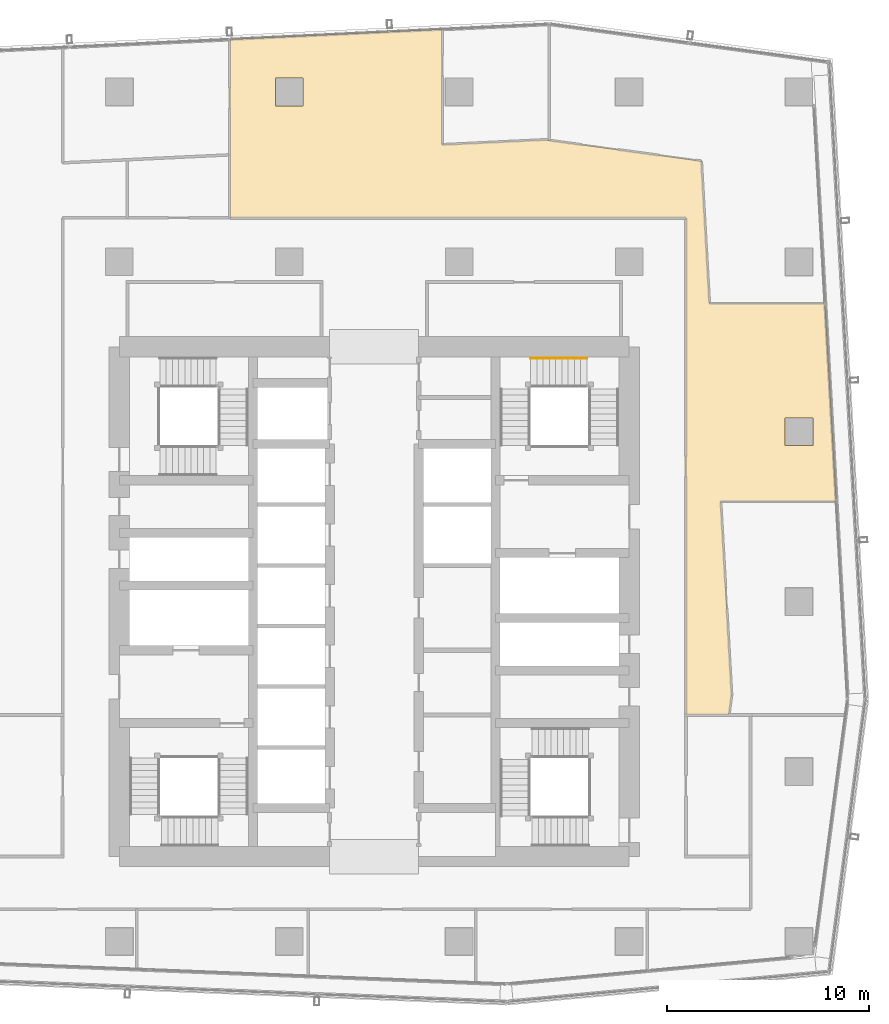
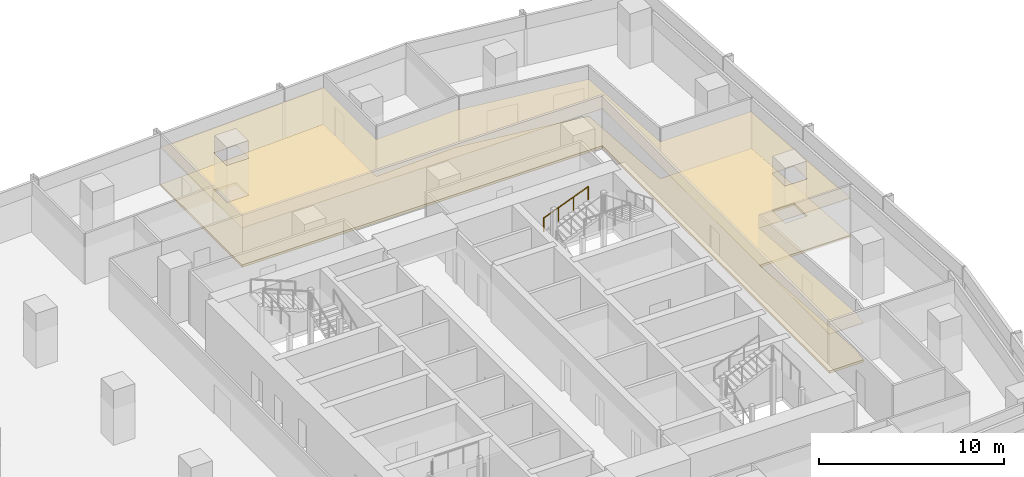
# One storey, part 38 of 40: 2 coverings, 1 railing.
"""IFC4 building model written with IfcOpenShell, lengths in metres."""

from ifc_helpers import new_model, si_unit, direction, frame, origin, origin_2d, place, context, subcontext, project, spatial, polyline, circle, outline, extrude, material, layer, layer_set, type_object, element, save


model = new_model("IFC4")

# Units and contexts
model_context = context("Model", 3, precision=1e-05, world=origin(), true_north=direction((0.0, 1.0)))
body_context = subcontext(model_context, "Body", "Model", "MODEL_VIEW")
ifc_project = project(units=[si_unit("LENGTHUNIT", "METRE"), si_unit("AREAUNIT", "SQUARE_METRE"), si_unit("VOLUMEUNIT", "CUBIC_METRE"), si_unit("PLANEANGLEUNIT", "RADIAN"), si_unit("MASSUNIT", "GRAM", prefix="KILO")], contexts=[model_context])

# Site, building, storey
site_placement = place(None, origin())
site = spatial("IfcSite", under=ifc_project, at=site_placement, CompositionType="ELEMENT")
building_placement = place(site_placement, origin())
building = spatial("IfcBuilding", under=site, at=building_placement, Name="Rekha Terrace Tower", CompositionType="ELEMENT")
storey_placement = place(building_placement, frame((0.0, 0.0, 213.949951171875)))
storey = spatial("IfcBuildingStorey", under=building, at=storey_placement, Name="L54", CompositionType="ELEMENT", Elevation=213.949951171875)

# Covering
ifc_material_1 = material(Name="Mineral fibre tile in exposed grid", Category="finish")
ifc_layer_1 = layer(ifc_material_1, 0.02001953125)
ifc_layer_set_1 = layer_set([ifc_layer_1], Name="Mineral fibre tile in exposed grid")
covering_type_1 = type_object("IfcCoveringType", Name="CL1 600x1200 office grid ceiling", PredefinedType="CEILING", material=ifc_layer_set_1)
covering_1_placement = place(storey_placement, frame((0.0, 0.0, 2.580078125)))
element("IfcCovering", 1, at=covering_1_placement, inside=storey, type_object=covering_type_1, Name="Ceiling L54-O1", PredefinedType="CEILING", context=body_context, shape_type="SweptSolid", body=[
    extrude(outline(polyline([(46.22900390625, 56.430908203125), (41.152099609375, 56.18798828125), (41.152099609375, 61.89404296875), (30.660888671875, 61.39306640625), (30.660888671875, 52.574951171875), (53.199951171875, 52.574951171875), (53.199951171875, 28.0009765625), (55.3330078125, 28.0009765625), (55.465087890625, 28.9951171875), (54.922119140625, 38.554931640625), (60.631103515625, 38.554931640625), (60.075927734375, 48.33203125), (54.366943359375, 48.33203125), (53.967041015625, 55.3779296875), (46.444091796875, 56.40087890625), (46.22900390625, 56.430908203125)]), holes=[polyline([(59.489990234375, 41.31005859375), (58.110107421875, 41.31005859375), (58.110107421875, 42.68994140625), (59.489990234375, 42.68994140625), (59.489990234375, 41.31005859375)]), polyline([(34.2900390625, 58.110107421875), (32.909912109375, 58.110107421875), (32.909912109375, 59.489990234375), (34.2900390625, 59.489990234375), (34.2900390625, 58.110107421875)])]), origin(), (0.0, 0.0, 1.0), 0.02001953125),
])

# Railing
ifc_material_2 = material(Name="Stainless steel tube", Category="steel")
railing_type = type_object("IfcRailingType", Name="HR1 900 stair handrail", PredefinedType="HANDRAIL", material=ifc_material_2)
railing_placement = place(storey_placement, frame((45.52490234375, 45.639892578125, 1.375)))
element("IfcRailing", 2, at=railing_placement, inside=storey, type_object=railing_type, Name="Handrail ST2 L54 flight 2", PredefinedType="HANDRAIL", context=body_context, shape_type="SweptSolid", body=[
    extrude(circle(Radius=0.02392578125, at=origin_2d()), frame((0.0, 0.0, 0.8759765625), z_axis=(0.927443287984, 0.0, 0.373963831907), x_axis=(0.0, 1.0, 0.0)), (0.0, 0.0, 1.0), 3.00830078125),
    extrude(circle(Radius=0.02099609375, at=origin_2d()), origin(), (0.0, 0.0, 1.0), 0.851806640625),
    extrude(circle(Radius=0.02099609375, at=origin_2d()), frame((0.929931640625, 0.0, 0.375)), (0.0, 0.0, 1.0), 0.851806640625),
    extrude(circle(Radius=0.02099609375, at=origin_2d()), frame((1.860107421875, 0.0, 0.75)), (0.0, 0.0, 1.0), 0.851806640625),
    extrude(circle(Radius=0.02099609375, at=origin_2d()), frame((2.7900390625, 0.0, 1.125)), (0.0, 0.0, 1.0), 0.851806640625),
])

# Covering
ifc_material_3 = material(Name="Calcium sulphate panels on steel pedestals", Category="steel")
ifc_layer_2 = layer(ifc_material_3, 0.14990234375)
ifc_layer_set_2 = layer_set([ifc_layer_2], Name="Calcium sulphate panels on steel pedestals")
covering_type_2 = type_object("IfcCoveringType", Name="RF1 150 raised access floor", PredefinedType="FLOORING", material=ifc_layer_set_2)
covering_2_placement = place(storey_placement, origin())
element("IfcCovering", 3, at=covering_2_placement, inside=storey, type_object=covering_type_2, Name="Raised floor L54-O1", PredefinedType="FLOORING", context=body_context, shape_type="SweptSolid", body=[
    extrude(outline(polyline([(46.22900390625, 56.430908203125), (41.152099609375, 56.18798828125), (41.152099609375, 61.89404296875), (30.660888671875, 61.39306640625), (30.660888671875, 52.574951171875), (53.199951171875, 52.574951171875), (53.199951171875, 28.0009765625), (55.3330078125, 28.0009765625), (55.465087890625, 28.9951171875), (54.922119140625, 38.554931640625), (60.631103515625, 38.554931640625), (60.075927734375, 48.33203125), (54.366943359375, 48.33203125), (53.967041015625, 55.3779296875), (46.444091796875, 56.40087890625), (46.22900390625, 56.430908203125)]), holes=[polyline([(59.489990234375, 41.31005859375), (58.110107421875, 41.31005859375), (58.110107421875, 42.68994140625), (59.489990234375, 42.68994140625), (59.489990234375, 41.31005859375)]), polyline([(34.2900390625, 58.110107421875), (32.909912109375, 58.110107421875), (32.909912109375, 59.489990234375), (34.2900390625, 59.489990234375), (34.2900390625, 58.110107421875)])]), origin(), (0.0, 0.0, 1.0), 0.150146484375),
])

save(model, "model.ifc")
